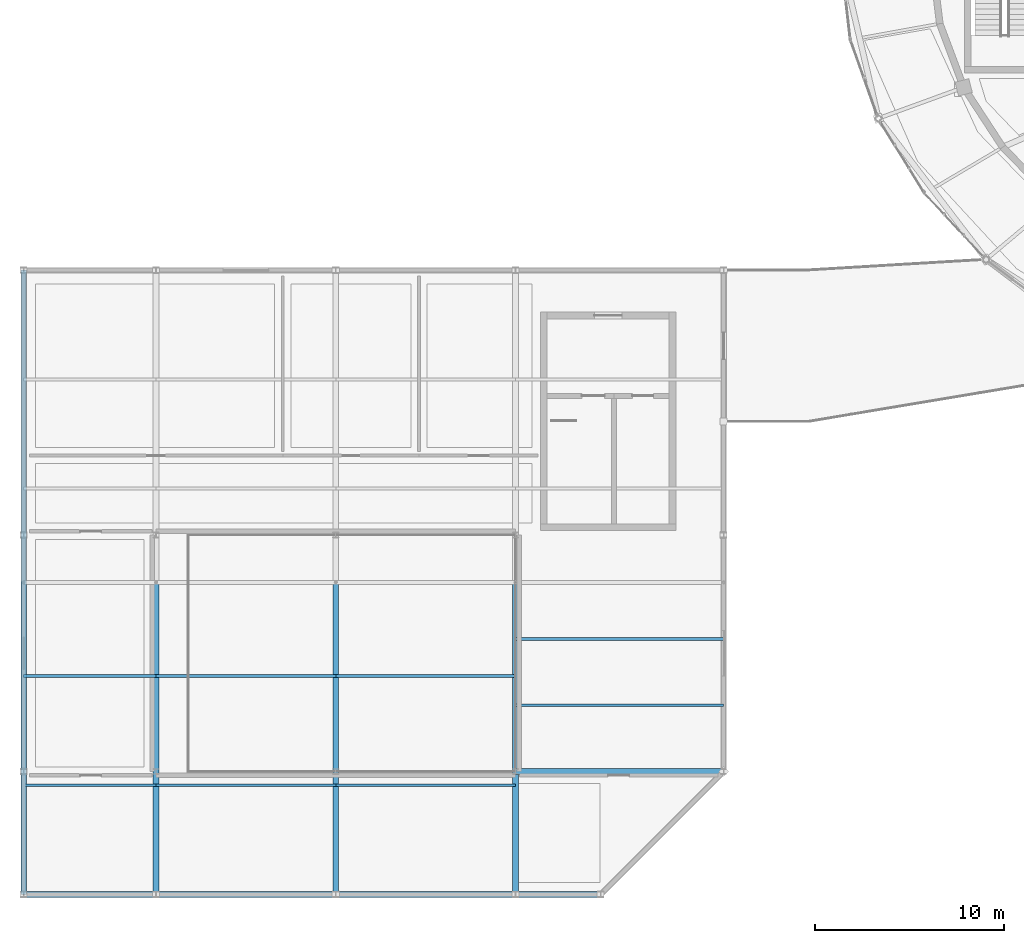
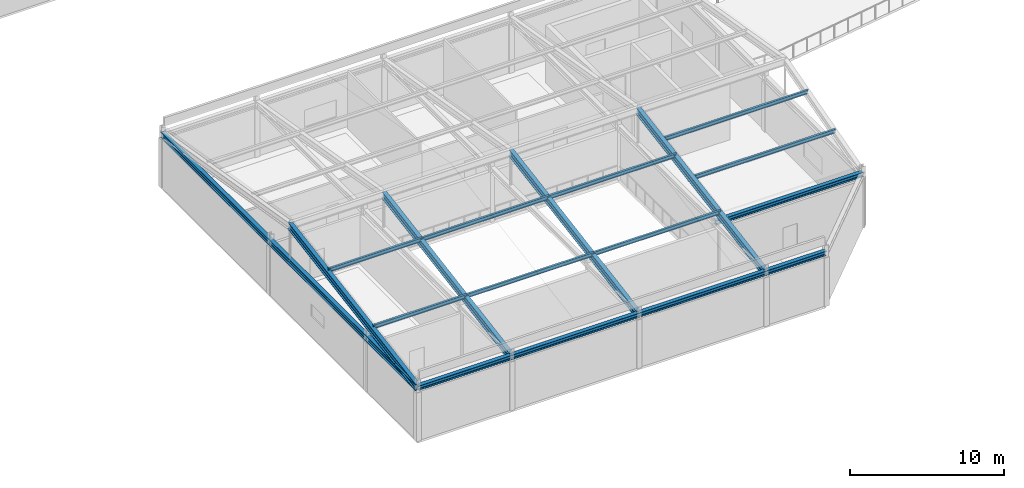
# One storey, part 16 of 108: 12 members, 6 beams.
"""IFC4 building model written with IfcOpenShell, lengths in metres."""

from ifc_helpers import new_model, si_unit, direction, frame, origin, origin_2d, place, context, subcontext, project, spatial, i_section, extrude, material, material_profile, profile_set, type_object, element, save


model = new_model("IFC4")

# Units and contexts
model_context = context("Model", 3, precision=1e-05, world=origin(), true_north=direction((0.0, 1.0)))
body_context = subcontext(model_context, "Body", "Model", "MODEL_VIEW")
ifc_project = project(units=[si_unit("LENGTHUNIT", "METRE"), si_unit("AREAUNIT", "SQUARE_METRE"), si_unit("VOLUMEUNIT", "CUBIC_METRE"), si_unit("PLANEANGLEUNIT", "RADIAN"), si_unit("MASSUNIT", "GRAM", prefix="KILO")], contexts=[model_context])

# Site, building, storey
site_placement = place(None, origin())
site = spatial("IfcSite", under=ifc_project, at=site_placement, CompositionType="ELEMENT")
building_placement = place(site_placement, origin())
building = spatial("IfcBuilding", under=site, at=building_placement, Name="Tarnveldt Headland Concert Hall", CompositionType="ELEMENT")
storey_placement = place(building_placement, frame((0.0, 0.0, 9.60009765625)))
storey = spatial("IfcBuildingStorey", under=building, at=storey_placement, Name="L02", CompositionType="ELEMENT", Elevation=9.60009765625)

# Members
ifc_material = material(Name="Steel S355", Category="steel")
ifc_material_profile_1 = material_profile(ifc_material, i_section(OverallWidth=0.14990234375, OverallDepth=0.300048828125, WebThickness=0.007080078125, FlangeThickness=0.0107421875, FilletRadius=0.014892578125, at=origin_2d()), Name="IPE300", Category="steel")
ifc_profile_set_1 = profile_set([ifc_material_profile_1], Name="Steel S355")
member_type_1 = type_object("IfcMemberType", Name="PR-IPE300", PredefinedType="PURLIN", material=ifc_profile_set_1)
for number, where, z_axis, x_axis, name in (
    (1, (7.5, 10.77490234375, 5.434814453125), (1.0, 0.0, 0.0), (0.0, 1.0, 0.0), "Chamber roof purlin 1S-35"),
    (2, (7.5, 16.550048828125, 6.414794921875), (1.0, 0.0, 0.0), (0.0, 1.0, 0.0), "Chamber roof purlin 1S-70"),
):
    element("IfcMember", number, at=place(storey_placement, frame(where, z_axis=z_axis, x_axis=x_axis)), inside=storey, type_object=member_type_1, Name=name, PredefinedType="PURLIN", context=body_context, shape_type="SweptSolid", body=[
        extrude(i_section(OverallWidth=0.14990234375, OverallDepth=0.300048828125, WebThickness=0.007080078125, FlangeThickness=0.0107421875, FilletRadius=0.014892578125, at=origin_2d()), origin(), (0.0, 0.0, 1.0), 7.0),
    ])
for number, where, z_axis, x_axis, name in (
    (3, (14.5, 10.77490234375, 5.434814453125), (1.0, 0.0, 0.0), (0.0, 1.0, 0.0), "Chamber roof purlin 2S-35"),
    (4, (14.5, 16.550048828125, 6.414794921875), (1.0, 0.0, 0.0), (0.0, 1.0, 0.0), "Chamber roof purlin 2S-70"),
    (5, (24.0, 10.77490234375, 5.434814453125), (1.0, 0.0, 0.0), (0.0, 1.0, 0.0), "Chamber roof purlin 3S-35"),
    (6, (24.0, 16.550048828125, 6.414794921875), (1.0, 0.0, 0.0), (0.0, 1.0, 0.0), "Chamber roof purlin 3S-70"),
):
    element("IfcMember", number, at=place(storey_placement, frame(where, z_axis=z_axis, x_axis=x_axis)), inside=storey, type_object=member_type_1, Name=name, PredefinedType="PURLIN", context=body_context, shape_type="SweptSolid", body=[
        extrude(i_section(OverallWidth=0.14990234375, OverallDepth=0.300048828125, WebThickness=0.007080078125, FlangeThickness=0.0107421875, FilletRadius=0.014892578125, at=origin_2d()), origin(), (0.0, 0.0, 1.0), 9.5),
    ])
for number, where, z_axis, x_axis, name in (
    (7, (33.5, 15.0, 5.434814453125), (1.0, 0.0, 0.0), (0.0, 1.0, 0.0), "Chamber roof purlin 4S-35"),
    (8, (33.5, 18.5, 6.414794921875), (1.0, 0.0, 0.0), (0.0, 1.0, 0.0), "Chamber roof purlin 4S-70"),
):
    element("IfcMember", number, at=place(storey_placement, frame(where, z_axis=z_axis, x_axis=x_axis)), inside=storey, type_object=member_type_1, Name=name, PredefinedType="PURLIN", context=body_context, shape_type="SweptSolid", body=[
        extrude(i_section(OverallWidth=0.14990234375, OverallDepth=0.300048828125, WebThickness=0.007080078125, FlangeThickness=0.0107421875, FilletRadius=0.014892578125, at=origin_2d()), origin(), (0.0, 0.0, 1.0), 11.0),
    ])
ifc_material_profile_2 = material_profile(ifc_material, i_section(OverallWidth=0.300048828125, OverallDepth=0.550048828125, WebThickness=0.014892578125, FlangeThickness=0.029052734375, FilletRadius=0.027099609375, at=origin_2d()), Name="HEB550", Category="steel")
ifc_profile_set_2 = profile_set([ifc_material_profile_2], Name="Steel S355")
member_type_2 = type_object("IfcMemberType", Name="RF-HEB550", PredefinedType="RAFTER", material=ifc_profile_set_2)
for number, where, z_axis, x_axis, name in (
    (9, (7.5, 5.0, 4.159912109375), (0.0, 0.985904685139, 0.167307955046), (-1.0, 0.0, 0.0), "ROOF TRUSS Chamber folded rib 7S"),
    (10, (14.5, 5.0, 4.159912109375), (0.0, 0.985904685139, 0.167307955046), (-1.0, 0.0, 0.0), "ROOF TRUSS Chamber folded rib 14S"),
    (11, (24.0, 5.0, 4.159912109375), (0.0, 0.985904685139, 0.167307955046), (-1.0, 0.0, 0.0), "ROOF TRUSS Chamber folded rib 24S"),
    (12, (33.5, 5.0, 4.159912109375), (0.0, 0.985904685139, 0.167307955046), (-1.0, 0.0, 0.0), "ROOF TRUSS Chamber folded rib 33S"),
):
    element("IfcMember", number, at=place(storey_placement, frame(where, z_axis=z_axis, x_axis=x_axis)), inside=storey, type_object=member_type_2, Name=name, PredefinedType="RAFTER", context=body_context, shape_type="SweptSolid", body=[
        extrude(i_section(OverallWidth=0.300048828125, OverallDepth=0.550048828125, WebThickness=0.014892578125, FlangeThickness=0.029052734375, FilletRadius=0.027099609375, at=origin_2d()), origin(), (0.0, 0.0, 1.0), 16.73583984375),
    ])

# Beams
ifc_material_profile_3 = material_profile(ifc_material, i_section(OverallWidth=0.300048828125, OverallDepth=0.35009765625, WebThickness=0.010009765625, FlangeThickness=0.017578125, FilletRadius=0.027099609375, at=origin_2d()), Name="HEA360", Category="steel")
ifc_profile_set_3 = profile_set([ifc_material_profile_3], Name="Steel S355")
beam_type_1 = type_object("IfcBeamType", Name="SB-HEA360", PredefinedType="SPANDREL", material=ifc_profile_set_3)
beam_1_placement = place(storey_placement, frame((7.5, 5.0, 4.159912109375), z_axis=(1.0, 0.0, 0.0), x_axis=(0.0, 1.0, 0.0)))
element("IfcBeam", 13, at=beam_1_placement, inside=storey, type_object=beam_type_1, Name="Chamber south eaves beam 1", PredefinedType="SPANDREL", context=body_context, shape_type="SweptSolid", body=[
    extrude(i_section(OverallWidth=0.300048828125, OverallDepth=0.35009765625, WebThickness=0.010009765625, FlangeThickness=0.017578125, FilletRadius=0.027099609375, at=origin_2d()), origin(), (0.0, 0.0, 1.0), 7.0),
])
for number, where, z_axis, x_axis, name in (
    (14, (14.5, 5.0, 4.159912109375), (1.0, 0.0, 0.0), (0.0, 1.0, 0.0), "Chamber south eaves beam 2"),
    (15, (24.0, 5.0, 4.159912109375), (1.0, 0.0, 0.0), (0.0, 1.0, 0.0), "Chamber south eaves beam 3"),
):
    element("IfcBeam", number, at=place(storey_placement, frame(where, z_axis=z_axis, x_axis=x_axis)), inside=storey, type_object=beam_type_1, Name=name, PredefinedType="SPANDREL", context=body_context, shape_type="SweptSolid", body=[
        extrude(i_section(OverallWidth=0.300048828125, OverallDepth=0.35009765625, WebThickness=0.010009765625, FlangeThickness=0.017578125, FilletRadius=0.027099609375, at=origin_2d()), origin(), (0.0, 0.0, 1.0), 9.5),
    ])
beam_2_placement = place(storey_placement, frame((33.5, 11.5, 4.159912109375), z_axis=(1.0, 0.0, 0.0), x_axis=(0.0, 1.0, 0.0)))
element("IfcBeam", 16, at=beam_2_placement, inside=storey, type_object=beam_type_1, Name="Chamber prow tie girder", PredefinedType="SPANDREL", context=body_context, shape_type="SweptSolid", body=[
    extrude(i_section(OverallWidth=0.300048828125, OverallDepth=0.35009765625, WebThickness=0.010009765625, FlangeThickness=0.017578125, FilletRadius=0.027099609375, at=origin_2d()), origin(), (0.0, 0.0, 1.0), 11.0),
])
beam_3_placement = place(storey_placement, frame((33.5, 5.0, 4.159912109375), z_axis=(1.0, 0.0, 0.0), x_axis=(0.0, 1.0, 0.0)))
element("IfcBeam", 17, at=beam_3_placement, inside=storey, type_object=beam_type_1, Name="Chamber prow south eaves beam", PredefinedType="SPANDREL", context=body_context, shape_type="SweptSolid", body=[
    extrude(i_section(OverallWidth=0.300048828125, OverallDepth=0.35009765625, WebThickness=0.010009765625, FlangeThickness=0.017578125, FilletRadius=0.027099609375, at=origin_2d()), origin(), (0.0, 0.0, 1.0), 4.5),
])
ifc_material_profile_4 = material_profile(ifc_material, i_section(OverallWidth=0.300048828125, OverallDepth=0.449951171875, WebThickness=0.013916015625, FlangeThickness=0.02587890625, FilletRadius=0.027099609375, at=origin_2d()), Name="HEB450", Category="steel")
ifc_profile_set_4 = profile_set([ifc_material_profile_4], Name="Steel S355")
beam_type_2 = type_object("IfcBeamType", Name="SB-HEB450", PredefinedType="BEAM", material=ifc_profile_set_4)
beam_4_placement = place(storey_placement, frame((7.5, 5.0, 4.159912109375), z_axis=(0.0, 1.0, 0.0), x_axis=(-1.0, 0.0, 0.0)))
element("IfcBeam", 18, at=beam_4_placement, inside=storey, type_object=beam_type_2, Name="ROOF TRUSS Chamber bottom tie 7", PredefinedType="BEAM", context=body_context, shape_type="SweptSolid", body=[
    extrude(i_section(OverallWidth=0.300048828125, OverallDepth=0.449951171875, WebThickness=0.013916015625, FlangeThickness=0.02587890625, FilletRadius=0.027099609375, at=origin_2d()), origin(), (0.0, 0.0, 1.0), 33.0),
])

save(model, "model.ifc")
